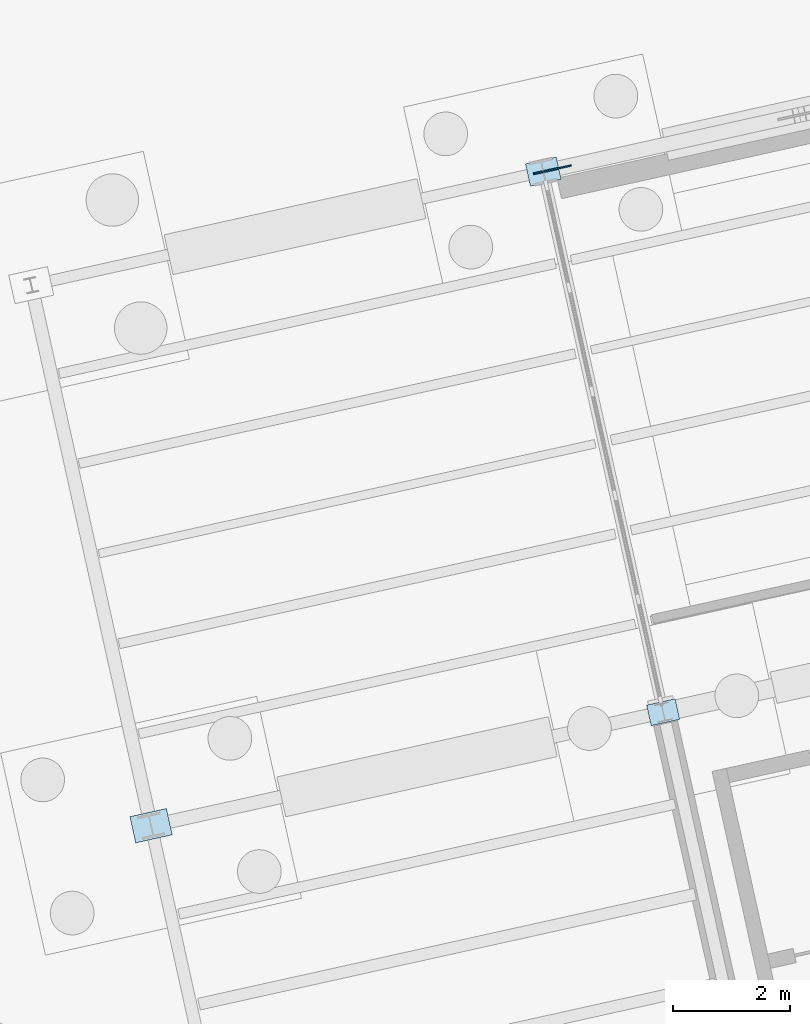
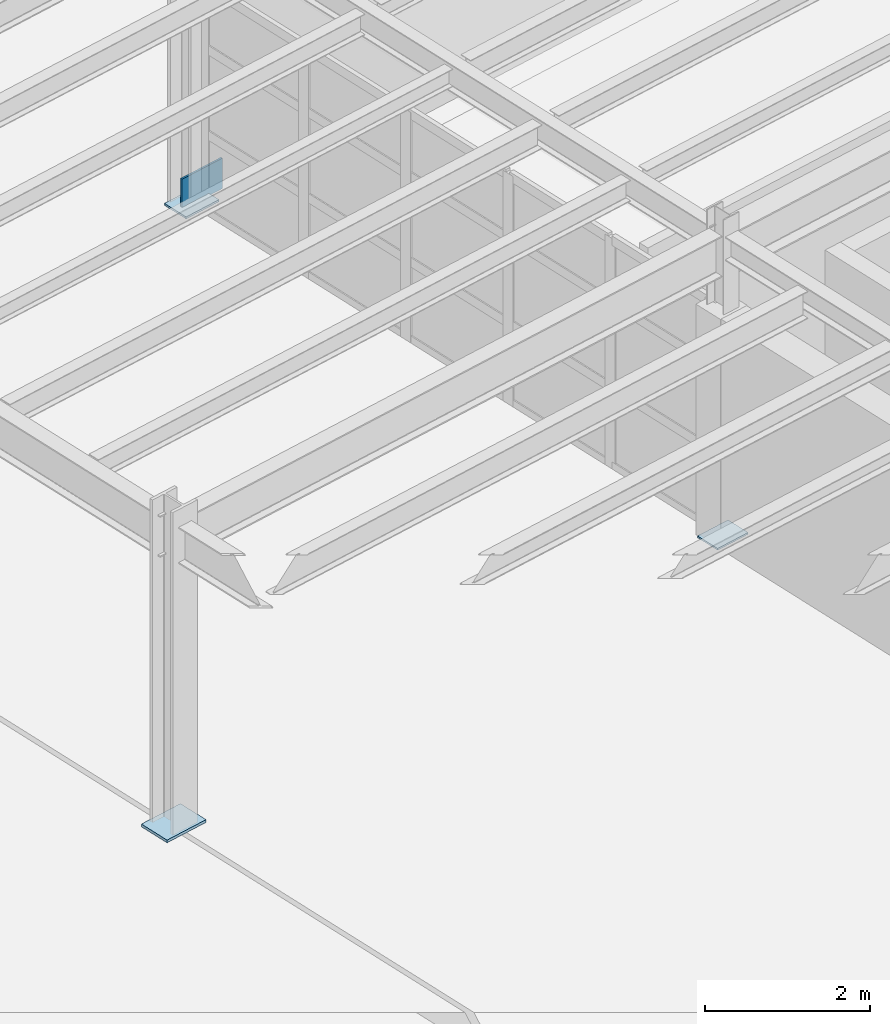
# One storey, part 80 of 108: 4 plates.
"""IFC4 building model written with IfcOpenShell, lengths in metres."""

import ifcopenshell
import ifcopenshell.guid

model = None  # the IFC model being written
_history = None  # IfcOwnerHistory: only IFC2X3 demands one
_inside = {}  # id of a spatial element -> (the spatial element, [elements in it])
_under = {}  # id of a project, library or spatial element -> (it, [spatial elements below it])
_declared = {}  # id of a project -> (the project, [libraries it declares])
_typed = {}  # id of a type object -> (the type object, [elements of that type])
_made_of = {}  # id of a material, layer set ... -> (it, [elements and type objects made of it])


def new_model(schema):
    """Start an empty IFC model of exactly this schema.

    Asked for "IFC4X3", IfcOpenShell would pick the latest addendum, in which some entities
    have other attributes; the version numbers below select the first issue.
    IFC2X3 requires an IfcOwnerHistory on every rooted entity: one is made here for all.
    """
    global model, _history
    if schema == "IFC4X3":
        model = ifcopenshell.file(schema_version=(4, 3, 0, 0))
    else:
        model = ifcopenshell.file(schema=schema)
    _inside.clear()
    _under.clear()
    _declared.clear()
    _typed.clear()
    _made_of.clear()
    _history = None
    if model.schema == "IFC2X3":
        org = make("IfcOrganization", Name="unknown")
        user = make(
            "IfcPersonAndOrganization",
            ThePerson=make("IfcPerson", FamilyName="unknown"),
            TheOrganization=org,
        )
        app = make(
            "IfcApplication",
            ApplicationDeveloper=org,
            Version="unknown",
            ApplicationFullName="unknown",
            ApplicationIdentifier="unknown",
        )
        _history = make(
            "IfcOwnerHistory",
            OwningUser=user,
            OwningApplication=app,
            ChangeAction="ADDED",
            CreationDate=0,
        )
    return model


def make(cls, **values):
    """One entity of the class cls with the attributes given. An attribute that is None is left unset."""
    return model.create_entity(
        cls, **{name: value for name, value in values.items() if value is not None}
    )


def rooted(cls, **values):
    """An entity with a GlobalId (a new one), such as an element, a storey or a relation."""
    return make(cls, GlobalId=ifcopenshell.guid.new(), OwnerHistory=_history, **values)


def si_unit(unit_type, name, prefix=None):
    """IfcSIUnit, for example si_unit("LENGTHUNIT", "METRE", prefix="MILLI")."""
    return make("IfcSIUnit", UnitType=unit_type, Prefix=prefix, Name=name)


def assignment(units):
    """IfcUnitAssignment: the units of a project."""
    return None if units is None else make("IfcUnitAssignment", Units=units)


def point(xyz):
    """IfcCartesianPoint."""
    return None if xyz is None else make("IfcCartesianPoint", Coordinates=xyz)


def direction(xyz):
    """IfcDirection."""
    return None if xyz is None else make("IfcDirection", DirectionRatios=xyz)


def frame(location, z_axis=None, x_axis=None):
    """IfcAxis2Placement3D, a coordinate frame: its origin and axes. An axis left out is left unset."""
    return make(
        "IfcAxis2Placement3D",
        Location=point(location),
        Axis=direction(z_axis),
        RefDirection=direction(x_axis),
    )


def frame_2d(location, x_axis=None):
    """IfcAxis2Placement2D, a coordinate frame in the plane: its origin and x axis."""
    return make(
        "IfcAxis2Placement2D", Location=point(location), RefDirection=direction(x_axis)
    )


def origin():
    """The frame at (0, 0, 0) with its axes left unset."""
    return frame((0.0, 0.0, 0.0))


def origin_2d():
    """The frame at (0, 0) in the plane with its x axis left unset."""
    return frame_2d((0.0, 0.0))


def place(relative_to, where):
    """IfcLocalPlacement: puts the frame where relative to a parent placement (None: the world)."""
    return make(
        "IfcLocalPlacement", PlacementRelTo=relative_to, RelativePlacement=where
    )


def context(
    kind, dimensions, precision=None, world=None, true_north=None, identifier=None
):
    """IfcGeometricRepresentationContext, for example the 3D "Model" context."""
    return make(
        "IfcGeometricRepresentationContext",
        ContextIdentifier=identifier,
        ContextType=kind,
        CoordinateSpaceDimension=dimensions,
        Precision=precision,
        WorldCoordinateSystem=world,
        TrueNorth=true_north,
    )


def subcontext(parent, identifier, kind, view, scale=None):
    """IfcGeometricRepresentationSubContext, for example "Body" below "Model"."""
    return make(
        "IfcGeometricRepresentationSubContext",
        ContextIdentifier=identifier,
        ContextType=kind,
        ParentContext=parent,
        TargetScale=scale,
        TargetView=view,
    )


def project(units=None, contexts=None):
    """IfcProject with its units and contexts."""
    return rooted(
        "IfcProject",
        Name="project",
        RepresentationContexts=contexts,
        UnitsInContext=assignment(units),
    )


def spatial(cls, under=None, at=None, **own):
    """A site, building, storey or space (cls), placed at a placement, below another one or the project."""
    s = rooted(cls, ObjectPlacement=at, **own)
    if under is not None:
        _under.setdefault(under.id(), (under, []))[1].append(s)
    return s


def profile(cls, at=None, kind="AREA", **sizes):
    """A parametric profile (cls). Its sizes go by their IFC names, for example OverallWidth=200.0."""
    return make(cls, ProfileType=kind, Position=at, **sizes)


def rectangle(**sizes):
    """IfcRectangleProfileDef."""
    return profile("IfcRectangleProfileDef", **sizes)


def extrude(swept, where, along, depth):
    """IfcExtrudedAreaSolid: the profile swept, set in the frame where, extruded along a direction by depth."""
    return make(
        "IfcExtrudedAreaSolid",
        SweptArea=swept,
        Position=where,
        ExtrudedDirection=direction(along),
        Depth=depth,
    )


def shape(context_of_items, identifier, shape_type, items):
    """IfcShapeRepresentation: the items that make up one representation, for example the "Body"."""
    return make(
        "IfcShapeRepresentation",
        ContextOfItems=context_of_items,
        RepresentationIdentifier=identifier,
        RepresentationType=shape_type,
        Items=items,
    )


def material(Name=None, Category=None):
    """IfcMaterial."""
    return make("IfcMaterial", Name=Name, Category=Category)


def layer(
    of_material, thickness, ventilated=None, Name=None, Category=None, Priority=None
):
    """IfcMaterialLayer: one layer of a wall or slab, of a material (None: an air gap)."""
    return make(
        "IfcMaterialLayer",
        Material=of_material,
        LayerThickness=thickness,
        IsVentilated=ventilated,
        Name=Name,
        Category=Category,
        Priority=Priority,
    )


def layer_set(layers, Name=None):
    """IfcMaterialLayerSet."""
    return make("IfcMaterialLayerSet", MaterialLayers=layers, LayerSetName=Name)


def made_of(thing, what):
    """Note that an element or type object is made of a material, layer set ...; save() writes the relation."""
    if what is not None:
        _made_of.setdefault(what.id(), (what, []))[1].append(thing)
    return thing


def type_object(cls, material=None, **own):
    """A type object (cls), such as IfcWallType, which elements share."""
    return made_of(rooted(cls, **own), material)


def element(
    cls,
    number,
    at=None,
    inside=None,
    cuts=None,
    type_object=None,
    material=None,
    context=None,
    identifier="Body",
    shape_type=None,
    held_by="IfcProductDefinitionShape",
    body=None,
    shapes=None,
    **own,
):
    """One element of the class cls, such as IfcWall. Its Tag is "e" and its number.

    at: its placement. inside: the storey or other place that contains it. cuts: it is an
    opening in that element (IfcRelVoidsElement). A single representation is given by context,
    identifier, shape_type and body (its items); several are given by shapes. held_by: the class
    of the entity that holds the representations. save() writes the other relations.
    """
    e = rooted(cls, Tag="e%d" % number, ObjectPlacement=at, **own)
    if body is not None:
        shapes = [shape(context, identifier, shape_type, body)]
    if shapes is not None:
        e.Representation = make(held_by, Representations=shapes)
    if inside is not None:
        _inside.setdefault(inside.id(), (inside, []))[1].append(e)
    if cuts is not None:
        rooted(
            "IfcRelVoidsElement", RelatingBuildingElement=cuts, RelatedOpeningElement=e
        )
    if type_object is not None:
        _typed.setdefault(type_object.id(), (type_object, []))[1].append(e)
    return made_of(e, material)


def aggregate(whole, parts):
    """IfcRelAggregates: a whole, such as a stair, and the parts it consists of."""
    return rooted("IfcRelAggregates", RelatingObject=whole, RelatedObjects=parts)


def save(model, path):
    """Write the relations noted so far, then the file.

    IfcRelAggregates (storeys below a building ...), IfcRelContainedInSpatialStructure (elements
    in a storey), IfcRelDefinesByType, IfcRelAssociatesMaterial and IfcRelDeclares: one each for
    every whole, place, type object, material and project.
    """
    for whole, parts in _under.values():
        aggregate(whole, parts)
    for where, things in _inside.values():
        rooted(
            "IfcRelContainedInSpatialStructure",
            RelatedElements=things,
            RelatingStructure=where,
        )
    for kind, things in _typed.values():
        rooted("IfcRelDefinesByType", RelatedObjects=things, RelatingType=kind)
    for what, things in _made_of.values():
        rooted("IfcRelAssociatesMaterial", RelatedObjects=things, RelatingMaterial=what)
    for by, libraries in _declared.values():
        rooted("IfcRelDeclares", RelatingContext=by, RelatedDefinitions=libraries)
    model.write(path)


model = new_model("IFC4")

# Units and contexts
model_context = context("Model", 3, precision=1e-05, world=origin(), true_north=direction((0.0, 1.0)))
body_context = subcontext(model_context, "Body", "Model", "MODEL_VIEW")
ifc_project = project(units=[si_unit("LENGTHUNIT", "METRE"), si_unit("AREAUNIT", "SQUARE_METRE"), si_unit("VOLUMEUNIT", "CUBIC_METRE"), si_unit("PLANEANGLEUNIT", "RADIAN"), si_unit("MASSUNIT", "GRAM", prefix="KILO")], contexts=[model_context])

# Site, building, storey
site_placement = place(None, origin())
site = spatial("IfcSite", under=ifc_project, at=site_placement, CompositionType="ELEMENT")
building_placement = place(site_placement, origin())
building = spatial("IfcBuilding", under=site, at=building_placement, Name="Vireo Bluff Cable Station", CompositionType="ELEMENT")
storey_placement = place(building_placement, origin())
storey = spatial("IfcBuildingStorey", under=building, at=storey_placement, Name="L00", CompositionType="ELEMENT", Elevation=0.0)

# Plates
ifc_material = material(Name="Steel ASTM A572 Gr. 50", Category="steel")
ifc_layer_1 = layer(ifc_material, 0.02587890625, Name="Steel ASTM A572 Gr. 50")
ifc_layer_set_1 = layer_set([ifc_layer_1], Name="Steel ASTM A572 Gr. 50")
plate_type_1 = type_object("IfcPlateType", Name="BASEPLATE-500X360X26", PredefinedType="SHEET", material=ifc_layer_set_1)
plate_1_placement = place(storey_placement, frame((130.67431640625, 94.49755859375, 0.0), z_axis=(0.0, 0.0, 1.0), x_axis=(0.97629600712, 0.216439613938, 0.0)))
element("IfcPlate", 1, at=plate_1_placement, inside=storey, type_object=plate_type_1, Name="V2 column baseplate 72", PredefinedType="SHEET", context=body_context, shape_type="SweptSolid", body=[
    extrude(rectangle(XDim=0.5, YDim=0.360107421875, at=origin_2d()), origin(), (0.0, 0.0, 1.0), 0.02587890625),
])
ifc_layer_2 = layer(ifc_material, 0.030029296875, Name="Steel ASTM A572 Gr. 50")
ifc_layer_set_2 = layer_set([ifc_layer_2], Name="Steel ASTM A572 Gr. 50")
plate_type_2 = type_object("IfcPlateType", Name="BASEPLATE-540X390X30", PredefinedType="SHEET", material=ifc_layer_set_2)
plate_2_placement = place(storey_placement, frame((128.6181640625, 103.7724609375, 0.0), z_axis=(0.0, 0.0, 1.0), x_axis=(0.97629600712, 0.216439613938, 0.0)))
element("IfcPlate", 2, at=plate_2_placement, inside=storey, type_object=plate_type_2, Name="V2 column baseplate 73", PredefinedType="SHEET", context=body_context, shape_type="SweptSolid", body=[
    extrude(rectangle(XDim=0.5400390625, YDim=0.389892578125, at=origin_2d()), origin(), (0.0, 0.0, 1.0), 0.030029296875),
])
ifc_layer_3 = layer(ifc_material, 0.0400390625, Name="Steel ASTM A572 Gr. 50")
ifc_layer_set_3 = layer_set([ifc_layer_3], Name="Steel ASTM A572 Gr. 50")
plate_type_3 = type_object("IfcPlateType", Name="BASEPLATE-640X460X40", PredefinedType="SHEET", material=ifc_layer_set_3)
plate_3_placement = place(storey_placement, frame((121.8876953125, 92.549560546875, 0.0), z_axis=(0.0, 0.0, 1.0), x_axis=(0.97629600712, 0.216439613938, 0.0)))
element("IfcPlate", 3, at=plate_3_placement, inside=storey, type_object=plate_type_3, Name="V2 column baseplate 68", PredefinedType="SHEET", context=body_context, shape_type="SweptSolid", body=[
    extrude(rectangle(XDim=0.639892578125, YDim=0.4599609375, at=origin_2d()), origin(), (0.0, 0.0, 1.0), 0.0400390625),
])
ifc_layer_4 = layer(ifc_material, 0.028076171875, Name="Steel ASTM A572 Gr. 50")
ifc_layer_set_4 = layer_set([ifc_layer_4], Name="Steel ASTM A572 Gr. 50")
plate_type_4 = type_object("IfcPlateType", Name="GUSSET-660X450X28", PredefinedType="USERDEFINED", material=ifc_layer_set_4)
plate_4_placement = place(storey_placement, frame((128.7744140625, 103.80712890625, -0.0048828125), z_axis=(0.0, 0.0, 1.0), x_axis=(0.97629600712, 0.216439613938, 0.0)))
element("IfcPlate", 4, at=plate_4_placement, inside=storey, type_object=plate_type_4, Name="V2 L00 brace base gusset plate 86", ObjectType="GUSSET PLATE", PredefinedType="USERDEFINED", context=body_context, shape_type="SweptSolid", body=[
    extrude(rectangle(XDim=0.659912109375, YDim=0.028076171875, at=origin_2d()), origin(), (0.0, 0.0, 1.0), 0.449951171875),
])

save(model, "model.ifc")
